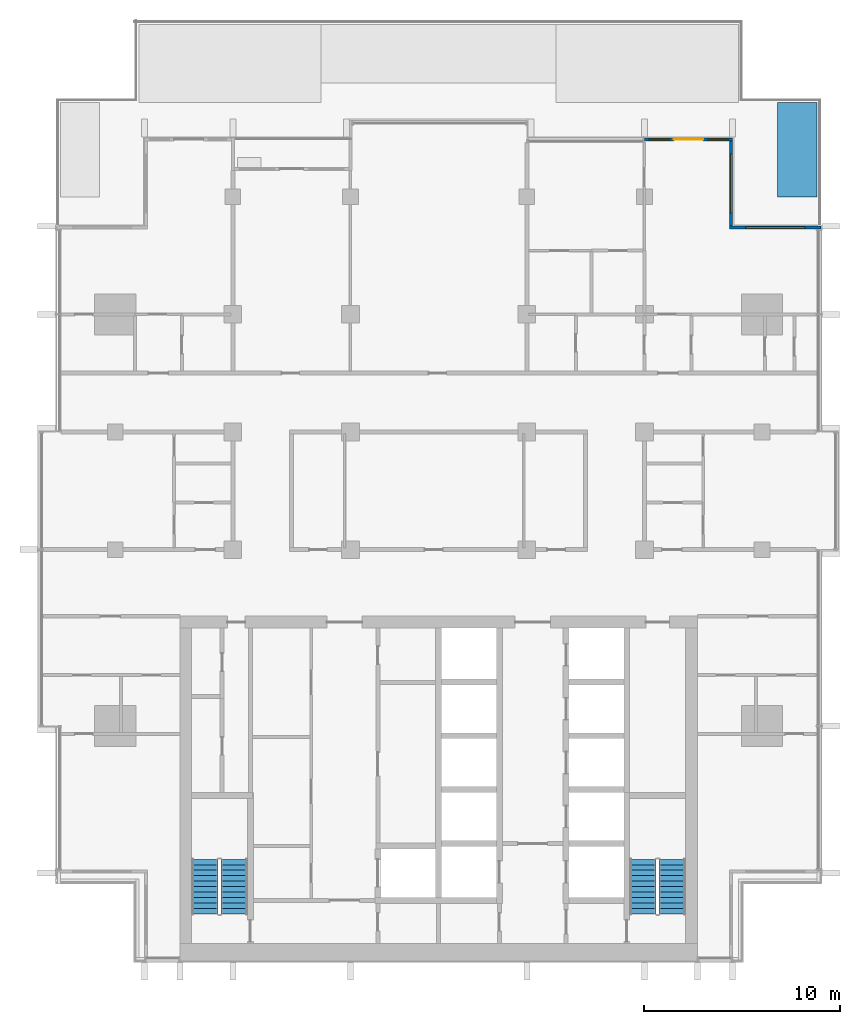
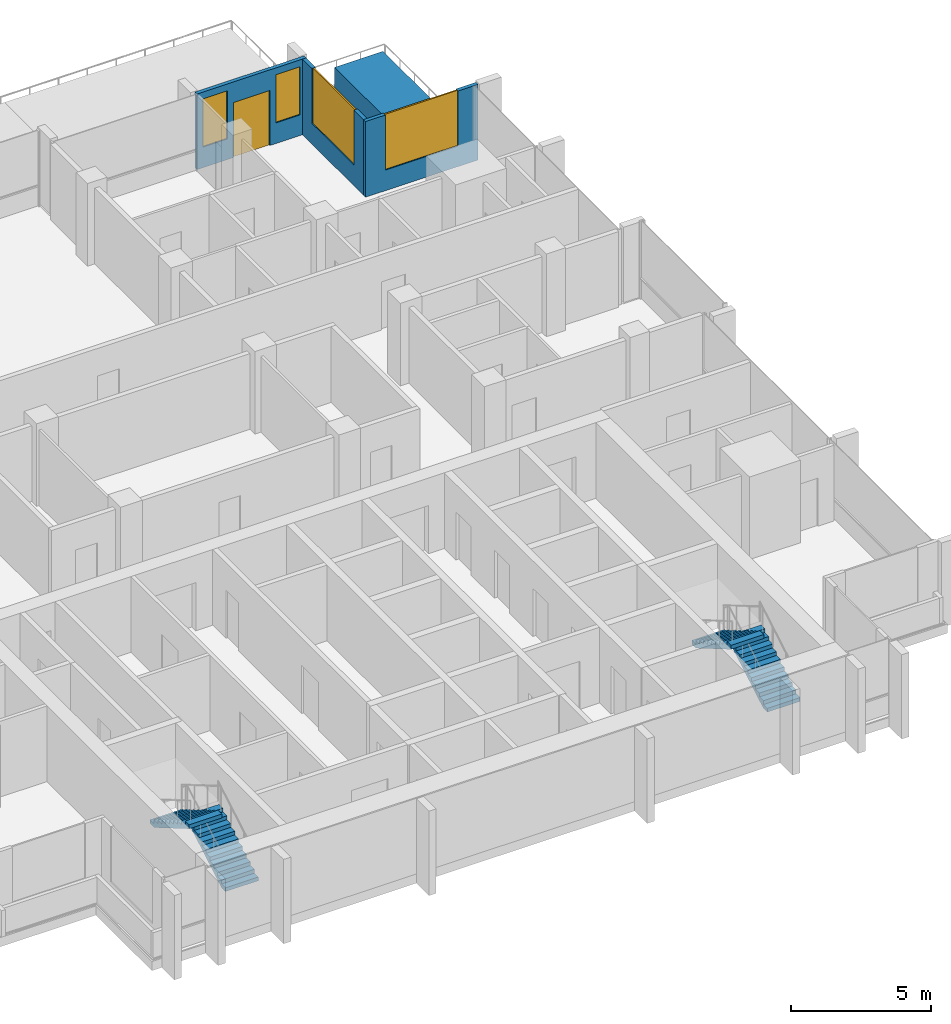
# One storey, part 11 of 17: 4 stair flights, 4 walls, 4 windows, 1 door, 5 openings, 2 elements without a shape of their own.
"""IFC4 building model written with IfcOpenShell, lengths in metres."""

from ifc_helpers import new_model, si_unit, direction, frame, frame_2d, origin, place, context, subcontext, project, spatial, polyline, rectangle, outline, extrude, material, layer, layer_set, type_object, element, fill, aggregate, save


model = new_model("IFC4")

# Units and contexts
model_context = context("Model", 3, precision=1e-05, world=origin(), true_north=direction((0.0, 1.0)))
body_context = subcontext(model_context, "Body", "Model", "MODEL_VIEW")
ifc_project = project(units=[si_unit("LENGTHUNIT", "METRE"), si_unit("AREAUNIT", "SQUARE_METRE"), si_unit("VOLUMEUNIT", "CUBIC_METRE"), si_unit("PLANEANGLEUNIT", "RADIAN"), si_unit("MASSUNIT", "GRAM", prefix="KILO")], contexts=[model_context])

# Site, building, storey
site_placement = place(None, origin())
site = spatial("IfcSite", under=ifc_project, at=site_placement, CompositionType="ELEMENT")
building_placement = place(site_placement, origin())
building = spatial("IfcBuilding", under=site, at=building_placement, Name="Finial Court Residences", CompositionType="ELEMENT")
storey_placement = place(building_placement, frame((0.0, 0.0, 205.10009765625)))
storey = spatial("IfcBuildingStorey", under=building, at=storey_placement, Name="L51", CompositionType="ELEMENT", Elevation=205.10009765625)

# Wall, opening, window
ifc_material_1 = material(Name="Natural limestone", Category="masonry")
ifc_layer_1 = layer(ifc_material_1, 0.14990234375)
ifc_layer_set_1 = layer_set([ifc_layer_1], Name="Limestone clad wall 150")
wall_type_1 = type_object("IfcWallType", Name="Limestone clad wall 150", PredefinedType="SOLIDWALL", material=ifc_layer_set_1)
wall_1_placement = place(storey_placement, frame((14.925048828125, 16.35009765625, 0.0), z_axis=(0.0, 0.0, 1.0), x_axis=(0.0, -1.0, 0.0)))
wall_1 = element("IfcWall", 1, at=wall_1_placement, inside=storey, type_object=wall_type_1, Name="E-L51-NWE18", PredefinedType="SOLIDWALL", context=body_context, shape_type="SweptSolid", body=[
    extrude(rectangle(XDim=4.35009765625, YDim=0.14990234375, at=frame_2d((2.175048828125, 0.0))), origin(), (0.0, 0.0, 1.0), 3.2998046875),
])
opening_1_placement = place(wall_1_placement, frame((0.675048828125, 0.0, 0.89990234375)))
opening_1 = element("IfcOpeningElement", 2, at=opening_1_placement, cuts=wall_1, Name="Opening WE51-07", PredefinedType="OPENING", context=body_context, shape_type="SweptSolid", body=[
    extrude(rectangle(XDim=3.0, YDim=2.39990234375, at=frame_2d((1.5, 1.199951171875))), frame((0.0, 0.0849609375, 0.0), z_axis=(0.0, -1.0, 0.0), x_axis=(1.0, 0.0, 0.0)), (0.0, 0.0, 1.0), 0.169921875),
])
ifc_material_2 = material(Name="Clear low-e glass", Category="glass")
window_type_1 = type_object("IfcWindowType", Name="Corner window 3000 x 2400", PartitioningType="SINGLE_PANEL", PredefinedType="WINDOW", material=ifc_material_2)
window_1_placement = place(opening_1_placement, origin())
window_1 = element("IfcWindow", 3, at=window_1_placement, inside=storey, type_object=window_type_1, Name="E-L51-NWE18-W1", OverallHeight=2.39990234375, OverallWidth=3.0, PartitioningType="SINGLE_PANEL", PredefinedType="WINDOW", context=body_context, shape_type="SweptSolid", body=[
    extrude(rectangle(XDim=3.0, YDim=2.39990234375, at=frame_2d((1.5, 1.199951171875))), frame((0.0, 0.030029296875, 0.0), z_axis=(0.0, -1.0, 0.0), x_axis=(1.0, 0.0, 0.0)), (0.0, 0.0, 1.0), 0.06005859375),
])
fill(opening_1, window_1)

wall_2_placement = place(storey_placement, frame((14.85009765625, 11.925048828125, 0.0), z_axis=(0.0, 0.0, 1.0), x_axis=(1.0, 0.0, 0.0)))
wall_2 = element("IfcWall", 4, at=wall_2_placement, inside=storey, type_object=wall_type_1, Name="E-L51-NWN19", PredefinedType="SOLIDWALL", context=body_context, shape_type="SweptSolid", body=[
    extrude(rectangle(XDim=4.64990234375, YDim=0.14990234375, at=frame_2d((2.324951171875, 0.0))), origin(), (0.0, 0.0, 1.0), 3.2998046875),
])
opening_2_placement = place(wall_2_placement, frame((0.824951171875, 0.0, 0.89990234375)))
opening_2 = element("IfcOpeningElement", 5, at=opening_2_placement, cuts=wall_2, Name="Opening WE51-08", PredefinedType="OPENING", context=body_context, shape_type="SweptSolid", body=[
    extrude(rectangle(XDim=3.0, YDim=2.39990234375, at=frame_2d((1.5, 1.199951171875))), frame((0.0, 0.0849609375, 0.0), z_axis=(0.0, -1.0, 0.0), x_axis=(1.0, 0.0, 0.0)), (0.0, 0.0, 1.0), 0.169921875),
])
window_2_placement = place(opening_2_placement, origin())
window_2 = element("IfcWindow", 6, at=window_2_placement, inside=storey, type_object=window_type_1, Name="E-L51-NWN19-W1", OverallHeight=2.39990234375, OverallWidth=3.0, PartitioningType="SINGLE_PANEL", PredefinedType="WINDOW", context=body_context, shape_type="SweptSolid", body=[
    extrude(rectangle(XDim=3.0, YDim=2.39990234375, at=frame_2d((1.5, 1.199951171875))), frame((0.0, 0.030029296875, 0.0), z_axis=(0.0, -1.0, 0.0), x_axis=(1.0, 0.0, 0.0)), (0.0, 0.0, 1.0), 0.06005859375),
])
fill(opening_2, window_2)

# Wall, openings, door, windows
wall_3_placement = place(storey_placement, frame((10.5, 16.425048828125, 0.0), z_axis=(0.0, 0.0, 1.0), x_axis=(1.0, 0.0, 0.0)))
wall_3 = element("IfcWall", 7, at=wall_3_placement, inside=storey, type_object=wall_type_1, Name="E-L51-L51-TD2-W", PredefinedType="SOLIDWALL", context=body_context, shape_type="SweptSolid", body=[
    extrude(rectangle(XDim=4.5, YDim=0.14990234375, at=frame_2d((2.25, 0.0))), origin(), (0.0, 0.0, 1.0), 3.2998046875),
])
opening_3_placement = place(wall_3_placement, frame((1.5, 0.0, 0.0)))
opening_3 = element("IfcOpeningElement", 8, at=opening_3_placement, cuts=wall_3, Name="Opening DE51-03", PredefinedType="OPENING", context=body_context, shape_type="SweptSolid", body=[
    extrude(rectangle(XDim=1.5, YDim=2.39990234375, at=frame_2d((0.75, 1.199951171875))), frame((0.0, 0.0849609375, 0.0), z_axis=(0.0, -1.0, 0.0), x_axis=(1.0, 0.0, 0.0)), (0.0, 0.0, 1.0), 0.169921875),
])
opening_4_placement = place(wall_3_placement, frame((0.25, 0.0, 0.89990234375)))
opening_4 = element("IfcOpeningElement", 9, at=opening_4_placement, cuts=wall_3, Name="Opening WE51-13", PredefinedType="OPENING", context=body_context, shape_type="SweptSolid", body=[
    extrude(rectangle(XDim=1.0, YDim=2.10009765625, at=frame_2d((0.5, 1.050048828125))), frame((0.0, 0.0849609375, 0.0), z_axis=(0.0, -1.0, 0.0), x_axis=(1.0, 0.0, 0.0)), (0.0, 0.0, 1.0), 0.169921875),
])
opening_5_placement = place(wall_3_placement, frame((3.25, 0.0, 0.89990234375)))
opening_5 = element("IfcOpeningElement", 10, at=opening_5_placement, cuts=wall_3, Name="Opening WE51-14", PredefinedType="OPENING", context=body_context, shape_type="SweptSolid", body=[
    extrude(rectangle(XDim=1.0, YDim=2.10009765625, at=frame_2d((0.5, 1.050048828125))), frame((0.0, 0.0849609375, 0.0), z_axis=(0.0, -1.0, 0.0), x_axis=(1.0, 0.0, 0.0)), (0.0, 0.0, 1.0), 0.169921875),
])
ifc_material_3 = material(Name="Bronze anodised aluminium", Category="aluminium")
door_type = type_object("IfcDoorType", Name="Terrace door 1500 x 2400", OperationType="DOUBLE_DOOR_SINGLE_SWING", PredefinedType="DOOR", material=ifc_material_3)
door_placement = place(opening_3_placement, origin())
door = element("IfcDoor", 11, at=door_placement, inside=storey, type_object=door_type, Name="E-L51-L51-TD2-W-D", OperationType="DOUBLE_DOOR_SINGLE_SWING", OverallHeight=2.39990234375, OverallWidth=1.5, PredefinedType="DOOR", context=body_context, shape_type="SweptSolid", body=[
    extrude(rectangle(XDim=1.5, YDim=2.39990234375, at=frame_2d((0.75, 1.199951171875))), frame((0.0, 0.02490234375, 0.0), z_axis=(0.0, -1.0, 0.0), x_axis=(1.0, 0.0, 0.0)), (0.0, 0.0, 1.0), 0.050048828125),
])
fill(opening_3, door)
window_type_2 = type_object("IfcWindowType", Name="Terrace window 1000 x 2100", PartitioningType="SINGLE_PANEL", PredefinedType="WINDOW", material=ifc_material_2)
window_3_placement = place(opening_4_placement, origin())
window_3 = element("IfcWindow", 12, at=window_3_placement, inside=storey, type_object=window_type_2, Name="E-L51-L51-TD2-W-W1", OverallHeight=2.10009765625, OverallWidth=1.0, PartitioningType="SINGLE_PANEL", PredefinedType="WINDOW", context=body_context, shape_type="SweptSolid", body=[
    extrude(rectangle(XDim=1.0, YDim=2.10009765625, at=frame_2d((0.5, 1.050048828125))), frame((0.0, 0.030029296875, 0.0), z_axis=(0.0, -1.0, 0.0), x_axis=(1.0, 0.0, 0.0)), (0.0, 0.0, 1.0), 0.06005859375),
])
fill(opening_4, window_3)
window_4_placement = place(opening_5_placement, origin())
window_4 = element("IfcWindow", 13, at=window_4_placement, inside=storey, type_object=window_type_2, Name="E-L51-L51-TD2-W-W2", OverallHeight=2.10009765625, OverallWidth=1.0, PartitioningType="SINGLE_PANEL", PredefinedType="WINDOW", context=body_context, shape_type="SweptSolid", body=[
    extrude(rectangle(XDim=1.0, YDim=2.10009765625, at=frame_2d((0.5, 1.050048828125))), frame((0.0, 0.030029296875, 0.0), z_axis=(0.0, -1.0, 0.0), x_axis=(1.0, 0.0, 0.0)), (0.0, 0.0, 1.0), 0.06005859375),
])
fill(opening_5, window_4)

# Wall
ifc_material_4 = material(Name="Concrete C40/50", Category="concrete")
ifc_layer_2 = layer(ifc_material_4, 0.199951171875)
ifc_material_5 = material(Name="Planting soil", Category="soil")
ifc_layer_3 = layer(ifc_material_5, 1.60009765625)
ifc_layer_4 = layer(ifc_material_4, 0.199951171875)
ifc_layer_set_2 = layer_set([ifc_layer_2, ifc_layer_3, ifc_layer_4], Name="Planter wall, terrace 2000")
wall_type_2 = type_object("IfcWallType", Name="Planter wall, terrace 2000", PredefinedType="USERDEFINED", material=ifc_layer_set_2)
wall_4_placement = place(storey_placement, frame((18.300048828125, 13.5, 0.0), z_axis=(0.0, 0.0, 1.0), x_axis=(0.0, 1.0, 0.0)))
element("IfcWall", 14, at=wall_4_placement, inside=storey, type_object=wall_type_2, Name="E-L51-TER1-PL2", ObjectType="PLANTER", PredefinedType="USERDEFINED", context=body_context, shape_type="SweptSolid", body=[
    extrude(rectangle(XDim=4.800048828125, YDim=2.0, at=frame_2d((2.39990234375, 0.0))), origin(), (0.0, 0.0, 1.0), 0.89990234375),
])

# Stair, stair flights
ifc_material_6 = material(Name="Concrete C50/60", Category="concrete")
stair_type = type_object("IfcStairType", Name="Exit stair 22 risers of 163.6 mm", PredefinedType="HALF_TURN_STAIR", material=ifc_material_6)
stair_1_placement = place(storey_placement, origin())
stair_1 = element("IfcStair", 15, at=stair_1_placement, inside=storey, type_object=stair_type, Name="L51 Exit stair ST-1", PredefinedType="HALF_TURN_STAIR")
stair_flight_type = type_object("IfcStairFlightType", Name="Exit stair flight", PredefinedType="STRAIGHT", material=ifc_material_6)
stair_flight_1_placement = place(storey_placement, frame((-10.425048828125, -23.10009765625, 0.0), z_axis=(0.0, 0.0, 1.0), x_axis=(0.0, 1.0, 0.0)))
stair_flight_1 = element("IfcStairFlight", 16, at=stair_flight_1_placement, type_object=stair_flight_type, Name="ST-1 flight 1", NumberOfRisers=11, NumberOfTreads=10, PredefinedType="STRAIGHT", RiserHeight=0.163636364, TreadLength=0.28, context=body_context, shape_type="SweptSolid", body=[
    extrude(outline(polyline([(0.0, 0.0), (0.0, 0.16357421875), (0.280029296875, 0.16357421875), (0.280029296875, 0.327392578125), (0.56005859375, 0.327392578125), (0.56005859375, 0.490966796875), (0.840087890625, 0.490966796875), (0.840087890625, 0.654541015625), (1.1201171875, 0.654541015625), (1.1201171875, 0.818115234375), (1.39990234375, 0.818115234375), (1.39990234375, 0.98193359375), (1.679931640625, 0.98193359375), (1.679931640625, 1.1455078125), (1.9599609375, 1.1455078125), (1.9599609375, 1.30908203125), (2.239990234375, 1.30908203125), (2.239990234375, 1.47265625), (2.52001953125, 1.47265625), (2.52001953125, 1.636474609375), (2.800048828125, 1.636474609375), (2.800048828125, 1.800048828125), (2.800048828125, 1.462646484375), (0.297119140625, 0.0), (0.0, 0.0)])), frame((0.0, 0.675048828125, 0.0), z_axis=(0.0, -1.0, 0.0), x_axis=(1.0, 0.0, 0.0)), (0.0, 0.0, 1.0), 1.35009765625),
])
stair_flight_2_placement = place(storey_placement, frame((-11.925048828125, -20.300048828125, 1.7998046875), z_axis=(0.0, 0.0, 1.0), x_axis=(0.0, -1.0, 0.0)))
stair_flight_2 = element("IfcStairFlight", 17, at=stair_flight_2_placement, type_object=stair_flight_type, Name="ST-1 flight 2", NumberOfRisers=11, NumberOfTreads=10, PredefinedType="STRAIGHT", RiserHeight=0.163636364, TreadLength=0.28, context=body_context, shape_type="SweptSolid", body=[
    extrude(outline(polyline([(0.0, 0.0), (0.0, 0.16357421875), (0.280029296875, 0.16357421875), (0.280029296875, 0.327392578125), (0.56005859375, 0.327392578125), (0.56005859375, 0.490966796875), (0.840087890625, 0.490966796875), (0.840087890625, 0.654541015625), (1.1201171875, 0.654541015625), (1.1201171875, 0.818115234375), (1.39990234375, 0.818115234375), (1.39990234375, 0.98193359375), (1.679931640625, 0.98193359375), (1.679931640625, 1.1455078125), (1.9599609375, 1.1455078125), (1.9599609375, 1.30908203125), (2.239990234375, 1.30908203125), (2.239990234375, 1.47265625), (2.52001953125, 1.47265625), (2.52001953125, 1.636474609375), (2.800048828125, 1.636474609375), (2.800048828125, 1.800048828125), (2.800048828125, 1.462646484375), (0.297119140625, 0.0), (0.0, 0.0)])), frame((0.0, 0.675048828125, 0.0), z_axis=(0.0, -1.0, 0.0), x_axis=(1.0, 0.0, 0.0)), (0.0, 0.0, 1.0), 1.35009765625),
])
aggregate(stair_1, [stair_flight_1, stair_flight_2])

stair_2_placement = place(storey_placement, origin())
stair_2 = element("IfcStair", 18, at=stair_2_placement, inside=storey, type_object=stair_type, Name="L51 Exit stair ST-2", PredefinedType="HALF_TURN_STAIR")
stair_flight_3_placement = place(storey_placement, frame((11.925048828125, -23.10009765625, 0.0), z_axis=(0.0, 0.0, 1.0), x_axis=(0.0, 1.0, 0.0)))
stair_flight_3 = element("IfcStairFlight", 19, at=stair_flight_3_placement, type_object=stair_flight_type, Name="ST-2 flight 1", NumberOfRisers=11, NumberOfTreads=10, PredefinedType="STRAIGHT", RiserHeight=0.163636364, TreadLength=0.28, context=body_context, shape_type="SweptSolid", body=[
    extrude(outline(polyline([(0.0, 0.0), (0.0, 0.16357421875), (0.280029296875, 0.16357421875), (0.280029296875, 0.327392578125), (0.56005859375, 0.327392578125), (0.56005859375, 0.490966796875), (0.840087890625, 0.490966796875), (0.840087890625, 0.654541015625), (1.1201171875, 0.654541015625), (1.1201171875, 0.818115234375), (1.39990234375, 0.818115234375), (1.39990234375, 0.98193359375), (1.679931640625, 0.98193359375), (1.679931640625, 1.1455078125), (1.9599609375, 1.1455078125), (1.9599609375, 1.30908203125), (2.239990234375, 1.30908203125), (2.239990234375, 1.47265625), (2.52001953125, 1.47265625), (2.52001953125, 1.636474609375), (2.800048828125, 1.636474609375), (2.800048828125, 1.800048828125), (2.800048828125, 1.462646484375), (0.297119140625, 0.0), (0.0, 0.0)])), frame((0.0, 0.675048828125, 0.0), z_axis=(0.0, -1.0, 0.0), x_axis=(1.0, 0.0, 0.0)), (0.0, 0.0, 1.0), 1.35009765625),
])
stair_flight_4_placement = place(storey_placement, frame((10.425048828125, -20.300048828125, 1.7998046875), z_axis=(0.0, 0.0, 1.0), x_axis=(0.0, -1.0, 0.0)))
stair_flight_4 = element("IfcStairFlight", 20, at=stair_flight_4_placement, type_object=stair_flight_type, Name="ST-2 flight 2", NumberOfRisers=11, NumberOfTreads=10, PredefinedType="STRAIGHT", RiserHeight=0.163636364, TreadLength=0.28, context=body_context, shape_type="SweptSolid", body=[
    extrude(outline(polyline([(0.0, 0.0), (0.0, 0.16357421875), (0.280029296875, 0.16357421875), (0.280029296875, 0.327392578125), (0.56005859375, 0.327392578125), (0.56005859375, 0.490966796875), (0.840087890625, 0.490966796875), (0.840087890625, 0.654541015625), (1.1201171875, 0.654541015625), (1.1201171875, 0.818115234375), (1.39990234375, 0.818115234375), (1.39990234375, 0.98193359375), (1.679931640625, 0.98193359375), (1.679931640625, 1.1455078125), (1.9599609375, 1.1455078125), (1.9599609375, 1.30908203125), (2.239990234375, 1.30908203125), (2.239990234375, 1.47265625), (2.52001953125, 1.47265625), (2.52001953125, 1.636474609375), (2.800048828125, 1.636474609375), (2.800048828125, 1.800048828125), (2.800048828125, 1.462646484375), (0.297119140625, 0.0), (0.0, 0.0)])), frame((0.0, 0.675048828125, 0.0), z_axis=(0.0, -1.0, 0.0), x_axis=(1.0, 0.0, 0.0)), (0.0, 0.0, 1.0), 1.35009765625),
])
aggregate(stair_2, [stair_flight_3, stair_flight_4])

save(model, "model.ifc")
